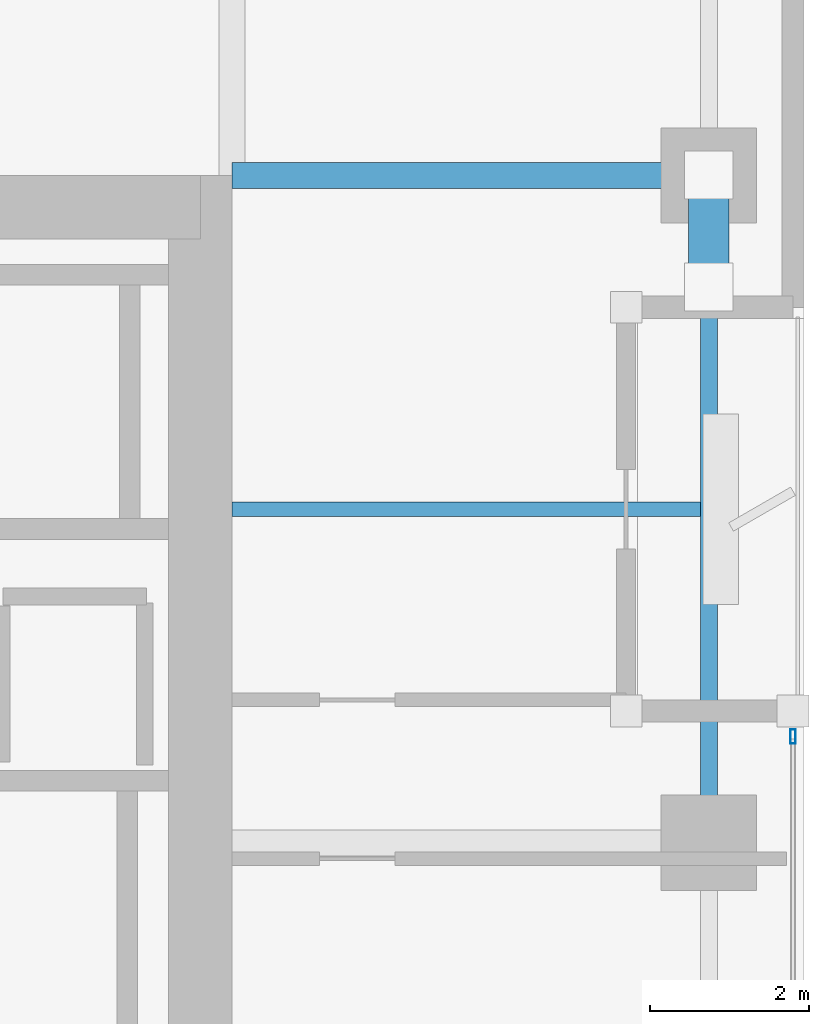
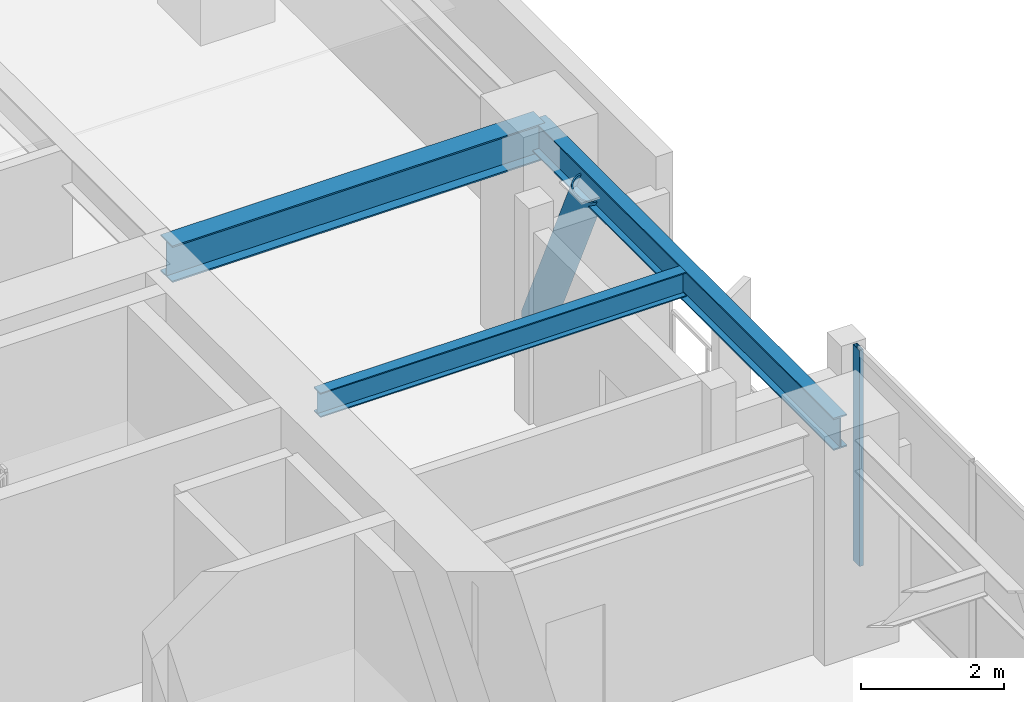
# One storey, part 11 of 30: 3 beams, 2 members, 1 element without a shape of its own.
"""IFC4 building model written with IfcOpenShell, lengths in metres."""

from ifc_helpers import new_model, si_unit, direction, frame, origin, origin_2d, place, context, subcontext, project, spatial, hollow_rectangle, hollow_circle, i_section, extrude, material, layer, layer_set, material_profile, profile_set, type_object, element, aggregate, save


model = new_model("IFC4")

# Units and contexts
model_context = context("Model", 3, precision=1e-05, world=origin(), true_north=direction((0.0, 1.0)))
body_context = subcontext(model_context, "Body", "Model", "MODEL_VIEW")
ifc_project = project(units=[si_unit("LENGTHUNIT", "METRE"), si_unit("AREAUNIT", "SQUARE_METRE"), si_unit("VOLUMEUNIT", "CUBIC_METRE"), si_unit("PLANEANGLEUNIT", "RADIAN"), si_unit("MASSUNIT", "GRAM", prefix="KILO")], contexts=[model_context])

# Site, building, storey
site_placement = place(None, origin())
site = spatial("IfcSite", under=ifc_project, at=site_placement, CompositionType="ELEMENT")
building_placement = place(site_placement, origin())
building = spatial("IfcBuilding", under=site, at=building_placement, Name="Kiyonajd Concourse Tower", CompositionType="ELEMENT")
storey_placement = place(building_placement, frame((0.0, 0.0, 166.199951171875)))
storey = spatial("IfcBuildingStorey", under=building, at=storey_placement, Name="L42", CompositionType="ELEMENT", Elevation=166.199951171875)

# Beams
ifc_material_1 = material(Name="Steel ASTM A992 Grade 50", Category="steel")
ifc_material_profile_1 = material_profile(ifc_material_1, i_section(OverallWidth=0.180908203125, OverallDepth=0.4169921875, WebThickness=0.010986328125, FlangeThickness=0.018310546875, at=origin_2d()), Name="W410X85")
ifc_profile_set_1 = profile_set([ifc_material_profile_1], Name="Steel ASTM A992 Grade 50")
beam_type_1 = type_object("IfcBeamType", Name="BM-JST-410", PredefinedType="JOIST", material=ifc_profile_set_1)
beam_1_placement = place(storey_placement, frame((63.60009765625, 40.199951171875, 3.471435546875), z_axis=(1.0, 0.0, 0.0), x_axis=(0.0, 1.0, 0.0)))
element("IfcBeam", 1, at=beam_1_placement, inside=storey, type_object=beam_type_1, Name="L42 East Secondary Floor Joist", PredefinedType="JOIST", context=body_context, shape_type="SweptSolid", body=[
    extrude(i_section(OverallWidth=0.180908203125, OverallDepth=0.4169921875, WebThickness=0.010986328125, FlangeThickness=0.018310546875, at=origin_2d()), origin(), (0.0, 0.0, 1.0), 5.892822265625),
])
ifc_material_profile_2 = material_profile(ifc_material_1, i_section(OverallWidth=0.214111328125, OverallDepth=0.549072265625, WebThickness=0.0146484375, FlangeThickness=0.023681640625, at=origin_2d()), Name="W530X138")
ifc_profile_set_2 = profile_set([ifc_material_profile_2], Name="Steel ASTM A992 Grade 50")
beam_type_2 = type_object("IfcBeamType", Name="BM-SPAN-530A", PredefinedType="SPANDREL", material=ifc_profile_set_2)
beam_2_placement = place(storey_placement, frame((69.60009765625, 36.0, 3.405517578125), z_axis=(0.0, 1.0, 0.0), x_axis=(-1.0, 0.0, 0.0)))
element("IfcBeam", 2, at=beam_2_placement, inside=storey, type_object=beam_type_2, Name="L42 Perimeter Bundled Tube Spandrel", PredefinedType="SPANDREL", context=body_context, shape_type="SweptSolid", body=[
    extrude(i_section(OverallWidth=0.214111328125, OverallDepth=0.549072265625, WebThickness=0.0146484375, FlangeThickness=0.023681640625, at=origin_2d()), origin(), (0.0, 0.0, 1.0), 8.39990234375),
])
ifc_material_profile_3 = material_profile(ifc_material_1, i_section(OverallWidth=0.326904296875, OverallDepth=0.6220703125, WebThickness=0.015380859375, FlangeThickness=0.0244140625, at=origin_2d()), Name="W610X195")
ifc_profile_set_3 = profile_set([ifc_material_profile_3], Name="Steel ASTM A992 Grade 50")
beam_type_3 = type_object("IfcBeamType", Name="BM-TWR-610A", PredefinedType="BEAM", material=ifc_profile_set_3)
beam_3_placement = place(storey_placement, frame((63.60009765625, 44.39990234375, 3.369140625), z_axis=(1.0, 0.0, 0.0), x_axis=(0.0, 1.0, 0.0)))
element("IfcBeam", 3, at=beam_3_placement, inside=storey, type_object=beam_type_3, Name="L42 East Lease Girder", PredefinedType="BEAM", context=body_context, shape_type="SweptSolid", body=[
    extrude(i_section(OverallWidth=0.326904296875, OverallDepth=0.6220703125, WebThickness=0.015380859375, FlangeThickness=0.0244140625, at=origin_2d()), origin(), (0.0, 0.0, 1.0), 6.0),
])

# Curtain wall, member
ifc_material_2 = material(Name="Thermally Broken Anodised Aluminium", Category="aluminium")
ifc_layer = layer(ifc_material_2, 0.179931640625)
ifc_layer_set = layer_set([ifc_layer], Name="Thermally Broken Anodised Aluminium")
curtain_wall_type = type_object("IfcCurtainWallType", Name="CW-SYS-03", PredefinedType="NOTDEFINED", material=ifc_layer_set)
curtain_wall_placement = place(storey_placement, origin())
curtain_wall = element("IfcCurtainWall", 4, at=curtain_wall_placement, inside=storey, type_object=curtain_wall_type, Name="L42 Unitised Curtain Wall CW3", PredefinedType="NOTDEFINED")
ifc_material_profile_4 = material_profile(ifc_material_2, hollow_rectangle(XDim=0.06494140625, YDim=0.179931640625, WallThickness=0.00390625, at=origin_2d()), Name="MULL-65x180")
ifc_profile_set_4 = profile_set([ifc_material_profile_4], Name="Thermally Broken Anodised Aluminium")
member_type_1 = type_object("IfcMemberType", Name="MB-CW-MULL1", PredefinedType="MULLION", material=ifc_profile_set_4)
member_1_placement = place(storey_placement, frame((70.659912109375, 37.33740234375, 0.0), z_axis=(0.0, 0.0, 1.0), x_axis=(1.0, 0.0, 0.0)))
member_1 = element("IfcMember", 5, at=member_1_placement, type_object=member_type_1, Name="CW3 mullion 1", PredefinedType="MULLION", context=body_context, shape_type="SweptSolid", body=[
    extrude(hollow_rectangle(XDim=0.06494140625, YDim=0.179931640625, WallThickness=0.00390625, at=origin_2d()), origin(), (0.0, 0.0, 1.0), 3.679931640625),
])
aggregate(curtain_wall, [member_1])

# Member
ifc_material_3 = material(Name="Steel ASTM A500 Grade C", Category="steel")
ifc_material_profile_5 = material_profile(ifc_material_3, hollow_circle(Radius=0.25390625, WallThickness=0.02197265625, at=origin_2d()), Name="CHS-508x22")
ifc_profile_set_5 = profile_set([ifc_material_profile_5], Name="Steel ASTM A500 Grade C")
member_type_2 = type_object("IfcMemberType", Name="MB-PB-MID", PredefinedType="BRACE", material=ifc_profile_set_5)
member_2_placement = place(storey_placement, frame((69.60009765625, 44.39990234375, 0.300048828125), z_axis=(0.0, -0.419410666774, 0.907796614114), x_axis=(1.0, 0.0, 0.0)))
element("IfcMember", 6, at=member_2_placement, inside=storey, type_object=member_type_2, Name="L42 Upper Zone Hollow Tube Brace PBE", PredefinedType="BRACE", context=body_context, shape_type="SweptSolid", body=[
    extrude(hollow_circle(Radius=0.25390625, WallThickness=0.02197265625, at=origin_2d()), origin(), (0.0, 0.0, 1.0), 3.337890625),
])

save(model, "model.ifc")
